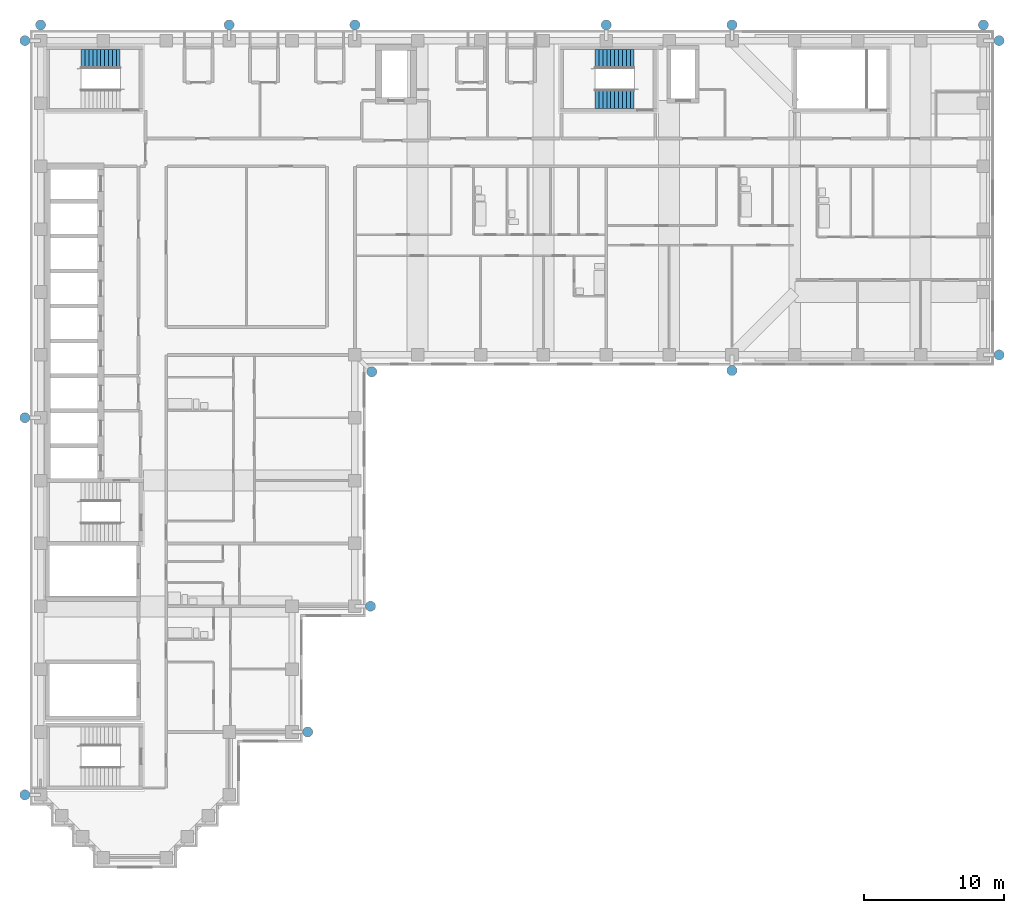
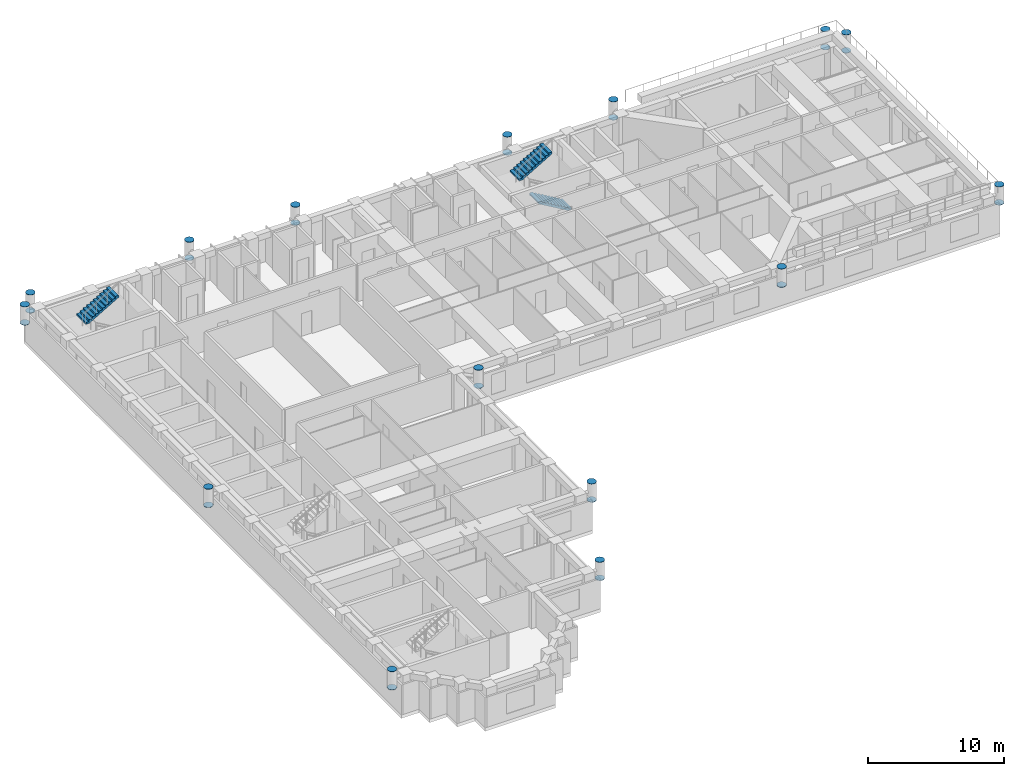
# One storey, part 12 of 14: 30 discrete accessories, 3 stair flights, 2 elements without a shape of their own.
"""IFC4 building model written with IfcOpenShell, lengths in metres."""

import ifcopenshell
import ifcopenshell.guid

model = None  # the IFC model being written
_history = None  # IfcOwnerHistory: only IFC2X3 demands one
_inside = {}  # id of a spatial element -> (the spatial element, [elements in it])
_under = {}  # id of a project, library or spatial element -> (it, [spatial elements below it])
_declared = {}  # id of a project -> (the project, [libraries it declares])
_typed = {}  # id of a type object -> (the type object, [elements of that type])
_made_of = {}  # id of a material, layer set ... -> (it, [elements and type objects made of it])


def new_model(schema):
    """Start an empty IFC model of exactly this schema.

    Asked for "IFC4X3", IfcOpenShell would pick the latest addendum, in which some entities
    have other attributes; the version numbers below select the first issue.
    IFC2X3 requires an IfcOwnerHistory on every rooted entity: one is made here for all.
    """
    global model, _history
    if schema == "IFC4X3":
        model = ifcopenshell.file(schema_version=(4, 3, 0, 0))
    else:
        model = ifcopenshell.file(schema=schema)
    _inside.clear()
    _under.clear()
    _declared.clear()
    _typed.clear()
    _made_of.clear()
    _history = None
    if model.schema == "IFC2X3":
        org = make("IfcOrganization", Name="unknown")
        user = make(
            "IfcPersonAndOrganization",
            ThePerson=make("IfcPerson", FamilyName="unknown"),
            TheOrganization=org,
        )
        app = make(
            "IfcApplication",
            ApplicationDeveloper=org,
            Version="unknown",
            ApplicationFullName="unknown",
            ApplicationIdentifier="unknown",
        )
        _history = make(
            "IfcOwnerHistory",
            OwningUser=user,
            OwningApplication=app,
            ChangeAction="ADDED",
            CreationDate=0,
        )
    return model


def make(cls, **values):
    """One entity of the class cls with the attributes given. An attribute that is None is left unset."""
    return model.create_entity(
        cls, **{name: value for name, value in values.items() if value is not None}
    )


def rooted(cls, **values):
    """An entity with a GlobalId (a new one), such as an element, a storey or a relation."""
    return make(cls, GlobalId=ifcopenshell.guid.new(), OwnerHistory=_history, **values)


def si_unit(unit_type, name, prefix=None):
    """IfcSIUnit, for example si_unit("LENGTHUNIT", "METRE", prefix="MILLI")."""
    return make("IfcSIUnit", UnitType=unit_type, Prefix=prefix, Name=name)


def assignment(units):
    """IfcUnitAssignment: the units of a project."""
    return None if units is None else make("IfcUnitAssignment", Units=units)


def point(xyz):
    """IfcCartesianPoint."""
    return None if xyz is None else make("IfcCartesianPoint", Coordinates=xyz)


def direction(xyz):
    """IfcDirection."""
    return None if xyz is None else make("IfcDirection", DirectionRatios=xyz)


def frame(location, z_axis=None, x_axis=None):
    """IfcAxis2Placement3D, a coordinate frame: its origin and axes. An axis left out is left unset."""
    return make(
        "IfcAxis2Placement3D",
        Location=point(location),
        Axis=direction(z_axis),
        RefDirection=direction(x_axis),
    )


def frame_2d(location, x_axis=None):
    """IfcAxis2Placement2D, a coordinate frame in the plane: its origin and x axis."""
    return make(
        "IfcAxis2Placement2D", Location=point(location), RefDirection=direction(x_axis)
    )


def origin():
    """The frame at (0, 0, 0) with its axes left unset."""
    return frame((0.0, 0.0, 0.0))


def origin_2d():
    """The frame at (0, 0) in the plane with its x axis left unset."""
    return frame_2d((0.0, 0.0))


def place(relative_to, where):
    """IfcLocalPlacement: puts the frame where relative to a parent placement (None: the world)."""
    return make(
        "IfcLocalPlacement", PlacementRelTo=relative_to, RelativePlacement=where
    )


def context(
    kind, dimensions, precision=None, world=None, true_north=None, identifier=None
):
    """IfcGeometricRepresentationContext, for example the 3D "Model" context."""
    return make(
        "IfcGeometricRepresentationContext",
        ContextIdentifier=identifier,
        ContextType=kind,
        CoordinateSpaceDimension=dimensions,
        Precision=precision,
        WorldCoordinateSystem=world,
        TrueNorth=true_north,
    )


def subcontext(parent, identifier, kind, view, scale=None):
    """IfcGeometricRepresentationSubContext, for example "Body" below "Model"."""
    return make(
        "IfcGeometricRepresentationSubContext",
        ContextIdentifier=identifier,
        ContextType=kind,
        ParentContext=parent,
        TargetScale=scale,
        TargetView=view,
    )


def project(units=None, contexts=None):
    """IfcProject with its units and contexts."""
    return rooted(
        "IfcProject",
        Name="project",
        RepresentationContexts=contexts,
        UnitsInContext=assignment(units),
    )


def spatial(cls, under=None, at=None, **own):
    """A site, building, storey or space (cls), placed at a placement, below another one or the project."""
    s = rooted(cls, ObjectPlacement=at, **own)
    if under is not None:
        _under.setdefault(under.id(), (under, []))[1].append(s)
    return s


def polyline(points):
    """IfcPolyline through the points."""
    return make("IfcPolyline", Points=[point(p) for p in points])


def profile(cls, at=None, kind="AREA", **sizes):
    """A parametric profile (cls). Its sizes go by their IFC names, for example OverallWidth=200.0."""
    return make(cls, ProfileType=kind, Position=at, **sizes)


def circle(**sizes):
    """IfcCircleProfileDef."""
    return profile("IfcCircleProfileDef", **sizes)


def outline(outer, holes=None, kind="AREA"):
    """IfcArbitraryClosedProfileDef: a profile drawn as a closed curve; with holes, ...WithVoids."""
    if holes is None:
        return make("IfcArbitraryClosedProfileDef", ProfileType=kind, OuterCurve=outer)
    return make(
        "IfcArbitraryProfileDefWithVoids",
        ProfileType=kind,
        OuterCurve=outer,
        InnerCurves=holes,
    )


def extrude(swept, where, along, depth):
    """IfcExtrudedAreaSolid: the profile swept, set in the frame where, extruded along a direction by depth."""
    return make(
        "IfcExtrudedAreaSolid",
        SweptArea=swept,
        Position=where,
        ExtrudedDirection=direction(along),
        Depth=depth,
    )


def shape(context_of_items, identifier, shape_type, items):
    """IfcShapeRepresentation: the items that make up one representation, for example the "Body"."""
    return make(
        "IfcShapeRepresentation",
        ContextOfItems=context_of_items,
        RepresentationIdentifier=identifier,
        RepresentationType=shape_type,
        Items=items,
    )


def material(Name=None, Category=None):
    """IfcMaterial."""
    return make("IfcMaterial", Name=Name, Category=Category)


def material_profile(
    of_material, cross_section, Name=None, Category=None, Priority=None
):
    """IfcMaterialProfile: a cross section and its material."""
    return make(
        "IfcMaterialProfile",
        Name=Name,
        Material=of_material,
        Profile=cross_section,
        Priority=Priority,
        Category=Category,
    )


def profile_set(profiles, Name=None, composite=None):
    """IfcMaterialProfileSet."""
    return make(
        "IfcMaterialProfileSet",
        Name=Name,
        MaterialProfiles=profiles,
        CompositeProfile=composite,
    )


def made_of(thing, what):
    """Note that an element or type object is made of a material, layer set ...; save() writes the relation."""
    if what is not None:
        _made_of.setdefault(what.id(), (what, []))[1].append(thing)
    return thing


def type_object(cls, material=None, **own):
    """A type object (cls), such as IfcWallType, which elements share."""
    return made_of(rooted(cls, **own), material)


def element(
    cls,
    number,
    at=None,
    inside=None,
    cuts=None,
    type_object=None,
    material=None,
    context=None,
    identifier="Body",
    shape_type=None,
    held_by="IfcProductDefinitionShape",
    body=None,
    shapes=None,
    **own,
):
    """One element of the class cls, such as IfcWall. Its Tag is "e" and its number.

    at: its placement. inside: the storey or other place that contains it. cuts: it is an
    opening in that element (IfcRelVoidsElement). A single representation is given by context,
    identifier, shape_type and body (its items); several are given by shapes. held_by: the class
    of the entity that holds the representations. save() writes the other relations.
    """
    e = rooted(cls, Tag="e%d" % number, ObjectPlacement=at, **own)
    if body is not None:
        shapes = [shape(context, identifier, shape_type, body)]
    if shapes is not None:
        e.Representation = make(held_by, Representations=shapes)
    if inside is not None:
        _inside.setdefault(inside.id(), (inside, []))[1].append(e)
    if cuts is not None:
        rooted(
            "IfcRelVoidsElement", RelatingBuildingElement=cuts, RelatedOpeningElement=e
        )
    if type_object is not None:
        _typed.setdefault(type_object.id(), (type_object, []))[1].append(e)
    return made_of(e, material)


def aggregate(whole, parts):
    """IfcRelAggregates: a whole, such as a stair, and the parts it consists of."""
    return rooted("IfcRelAggregates", RelatingObject=whole, RelatedObjects=parts)


def save(model, path):
    """Write the relations noted so far, then the file.

    IfcRelAggregates (storeys below a building ...), IfcRelContainedInSpatialStructure (elements
    in a storey), IfcRelDefinesByType, IfcRelAssociatesMaterial and IfcRelDeclares: one each for
    every whole, place, type object, material and project.
    """
    for whole, parts in _under.values():
        aggregate(whole, parts)
    for where, things in _inside.values():
        rooted(
            "IfcRelContainedInSpatialStructure",
            RelatedElements=things,
            RelatingStructure=where,
        )
    for kind, things in _typed.values():
        rooted("IfcRelDefinesByType", RelatedObjects=things, RelatingType=kind)
    for what, things in _made_of.values():
        rooted("IfcRelAssociatesMaterial", RelatedObjects=things, RelatingMaterial=what)
    for by, libraries in _declared.values():
        rooted("IfcRelDeclares", RelatingContext=by, RelatedDefinitions=libraries)
    model.write(path)


model = new_model("IFC4")

# Units and contexts
model_context = context("Model", 3, precision=1e-05, world=origin(), true_north=direction((0.0, 1.0)))
body_context = subcontext(model_context, "Body", "Model", "MODEL_VIEW")
ifc_project = project(units=[si_unit("LENGTHUNIT", "METRE"), si_unit("AREAUNIT", "SQUARE_METRE"), si_unit("VOLUMEUNIT", "CUBIC_METRE"), si_unit("PLANEANGLEUNIT", "RADIAN"), si_unit("MASSUNIT", "GRAM", prefix="KILO")], contexts=[model_context])

# Site, building, storey
site_placement = place(None, origin())
site = spatial("IfcSite", under=ifc_project, at=site_placement, CompositionType="ELEMENT")
building_placement = place(site_placement, origin())
building = spatial("IfcBuilding", under=site, at=building_placement, Name="Firuza Court", CompositionType="ELEMENT")
storey_placement = place(building_placement, frame((0.0, 0.0, 182.60009765625)))
storey = spatial("IfcBuildingStorey", under=building, at=storey_placement, Name="L46", CompositionType="ELEMENT", Elevation=182.60009765625)

# Stair, stair flights
ifc_material_1 = material(Name="Concrete C40/50 precast", Category="concrete")
stair_type = type_object("IfcStairType", Name="Stair 1350 x 3600 2 flights", PredefinedType="HALF_TURN_STAIR", material=ifc_material_1)
stair_1_placement = place(storey_placement, origin())
stair_1 = element("IfcStair", 1, at=stair_1_placement, inside=storey, type_object=stair_type, Name="Stair 1 L46", PredefinedType="HALF_TURN_STAIR")
ifc_material_2 = material(Name="Concrete C40/50 precast", Category="concrete")
stair_flight_type = type_object("IfcStairFlightType", Name="Flight 1350 riser 163.6", PredefinedType="STRAIGHT", material=ifc_material_2)
stair_flight_1_placement = place(storey_placement, frame((42.5, 54.324951171875, 0.0), z_axis=(0.0, 0.0, 1.0), x_axis=(-1.0, 0.0, 0.0)))
stair_flight_1 = element("IfcStairFlight", 2, at=stair_flight_1_placement, type_object=stair_flight_type, Name="S1 flight 1", NumberOfRisers=11, NumberOfTreads=10, PredefinedType="STRAIGHT", RiserHeight=0.163636364, TreadLength=0.28, context=body_context, shape_type="SweptSolid", body=[
    extrude(outline(polyline([(0.0, 0.0), (0.0, 0.16357421875), (0.280029296875, 0.16357421875), (0.280029296875, 0.327392578125), (0.56005859375, 0.327392578125), (0.56005859375, 0.490966796875), (0.840087890625, 0.490966796875), (0.840087890625, 0.654541015625), (1.1201171875, 0.654541015625), (1.1201171875, 0.818115234375), (1.39990234375, 0.818115234375), (1.39990234375, 0.98193359375), (1.679931640625, 0.98193359375), (1.679931640625, 1.1455078125), (1.9599609375, 1.1455078125), (1.9599609375, 1.30908203125), (2.239990234375, 1.30908203125), (2.239990234375, 1.47265625), (2.52001953125, 1.47265625), (2.52001953125, 1.636474609375), (2.800048828125, 1.636474609375), (2.800048828125, 1.800048828125), (2.800048828125, 1.462646484375), (0.297119140625, 0.0), (0.0, 0.0)])), frame((0.0, 0.675048828125, 0.0), z_axis=(0.0, -1.0, 0.0), x_axis=(1.0, 0.0, 0.0)), (0.0, 0.0, 1.0), 1.35009765625),
])
stair_flight_2_placement = place(storey_placement, frame((39.699951171875, 57.175048828125, 1.7998046875), z_axis=(0.0, 0.0, 1.0), x_axis=(1.0, 0.0, 0.0)))
stair_flight_2 = element("IfcStairFlight", 3, at=stair_flight_2_placement, type_object=stair_flight_type, Name="S1 flight 2", NumberOfRisers=11, NumberOfTreads=10, PredefinedType="STRAIGHT", RiserHeight=0.163636364, TreadLength=0.28, context=body_context, shape_type="SweptSolid", body=[
    extrude(outline(polyline([(0.0, 0.0), (0.0, 0.16357421875), (0.280029296875, 0.16357421875), (0.280029296875, 0.327392578125), (0.56005859375, 0.327392578125), (0.56005859375, 0.490966796875), (0.840087890625, 0.490966796875), (0.840087890625, 0.654541015625), (1.1201171875, 0.654541015625), (1.1201171875, 0.818115234375), (1.39990234375, 0.818115234375), (1.39990234375, 0.98193359375), (1.679931640625, 0.98193359375), (1.679931640625, 1.1455078125), (1.9599609375, 1.1455078125), (1.9599609375, 1.30908203125), (2.239990234375, 1.30908203125), (2.239990234375, 1.47265625), (2.52001953125, 1.47265625), (2.52001953125, 1.636474609375), (2.800048828125, 1.636474609375), (2.800048828125, 1.800048828125), (2.800048828125, 1.462646484375), (0.297119140625, 0.0), (0.0, 0.0)])), frame((0.0, 0.675048828125, 0.0), z_axis=(0.0, -1.0, 0.0), x_axis=(1.0, 0.0, 0.0)), (0.0, 0.0, 1.0), 1.35009765625),
])
aggregate(stair_1, [stair_flight_1, stair_flight_2])

# Stair, stair flight
stair_2_placement = place(storey_placement, origin())
stair_2 = element("IfcStair", 4, at=stair_2_placement, inside=storey, type_object=stair_type, Name="Stair 3 L46", PredefinedType="HALF_TURN_STAIR")
stair_flight_3_placement = place(storey_placement, frame((2.89990234375, 57.175048828125, 1.7998046875), z_axis=(0.0, 0.0, 1.0), x_axis=(1.0, 0.0, 0.0)))
stair_flight_3 = element("IfcStairFlight", 5, at=stair_flight_3_placement, type_object=stair_flight_type, Name="S3 flight 2", NumberOfRisers=11, NumberOfTreads=10, PredefinedType="STRAIGHT", RiserHeight=0.163636364, TreadLength=0.28, context=body_context, shape_type="SweptSolid", body=[
    extrude(outline(polyline([(0.0, 0.0), (0.0, 0.16357421875), (0.280029296875, 0.16357421875), (0.280029296875, 0.327392578125), (0.56005859375, 0.327392578125), (0.56005859375, 0.490966796875), (0.840087890625, 0.490966796875), (0.840087890625, 0.654541015625), (1.1201171875, 0.654541015625), (1.1201171875, 0.818115234375), (1.39990234375, 0.818115234375), (1.39990234375, 0.98193359375), (1.679931640625, 0.98193359375), (1.679931640625, 1.1455078125), (1.9599609375, 1.1455078125), (1.9599609375, 1.30908203125), (2.239990234375, 1.30908203125), (2.239990234375, 1.47265625), (2.52001953125, 1.47265625), (2.52001953125, 1.636474609375), (2.800048828125, 1.636474609375), (2.800048828125, 1.800048828125), (2.800048828125, 1.462646484375), (0.297119140625, 0.0), (0.0, 0.0)])), frame((0.0, 0.675048828125, 0.0), z_axis=(0.0, -1.0, 0.0), x_axis=(1.0, 0.0, 0.0)), (0.0, 0.0, 1.0), 1.35009765625),
])
aggregate(stair_2, [stair_flight_3])

# Discrete accessories
ifc_material_3 = material(Name="Steel S355", Category="steel")
ifc_material_profile = material_profile(ifc_material_3, circle(Radius=0.35546875, at=origin_2d()), Name="PL D711")
ifc_profile_set = profile_set([ifc_material_profile], Name="Steel S355")
discrete_accessory_type = type_object("IfcDiscreteAccessoryType", Name="DIAGRID NODE END PLATE", PredefinedType="NOTDEFINED", material=ifc_profile_set)
for number, where, z_axis, x_axis, name in (
    (6, (-1.1201171875, 4.5, 3.7998046875), (0.0, 0.0, 1.0), (1.0, 0.0, 0.0), "Diagrid node end plate level L46"),
    (7, (-1.1201171875, 4.5, 2.169921875), (0.0, 0.0, 1.0), (1.0, 0.0, 0.0), "Diagrid node end plate level L46"),
    (8, (-1.1201171875, 31.5, 3.7998046875), (0.0, 0.0, 1.0), (1.0, 0.0, 0.0), "Diagrid node end plate level L46"),
    (9, (-1.1201171875, 31.5, 2.169921875), (0.0, 0.0, 1.0), (1.0, 0.0, 0.0), "Diagrid node end plate level L46"),
    (10, (-1.1201171875, 58.5, 3.7998046875), (0.0, 0.0, 1.0), (1.0, 0.0, 0.0), "Diagrid node end plate level L46"),
    (11, (-1.1201171875, 58.5, 2.169921875), (0.0, 0.0, 1.0), (1.0, 0.0, 0.0), "Diagrid node end plate level L46"),
    (12, (0.0, 59.6201171875, 3.7998046875), (0.0, 0.0, 1.0), (1.0, 0.0, 0.0), "Diagrid node end plate level L46"),
    (13, (0.0, 59.6201171875, 2.169921875), (0.0, 0.0, 1.0), (1.0, 0.0, 0.0), "Diagrid node end plate level L46"),
    (14, (13.5, 59.6201171875, 3.7998046875), (0.0, 0.0, 1.0), (1.0, 0.0, 0.0), "Diagrid node end plate level L46"),
    (15, (13.5, 59.6201171875, 2.169921875), (0.0, 0.0, 1.0), (1.0, 0.0, 0.0), "Diagrid node end plate level L46"),
    (16, (19.1201171875, 9.0, 3.7998046875), (0.0, 0.0, 1.0), (1.0, 0.0, 0.0), "Diagrid node end plate level L46"),
    (17, (19.1201171875, 9.0, 2.169921875), (0.0, 0.0, 1.0), (1.0, 0.0, 0.0), "Diagrid node end plate level L46"),
    (18, (22.5, 59.6201171875, 3.7998046875), (0.0, 0.0, 1.0), (1.0, 0.0, 0.0), "Diagrid node end plate level L46"),
    (19, (22.5, 59.6201171875, 2.169921875), (0.0, 0.0, 1.0), (1.0, 0.0, 0.0), "Diagrid node end plate level L46"),
    (20, (23.6201171875, 18.0, 3.7998046875), (0.0, 0.0, 1.0), (1.0, 0.0, 0.0), "Diagrid node end plate level L46"),
    (21, (23.6201171875, 18.0, 2.169921875), (0.0, 0.0, 1.0), (1.0, 0.0, 0.0), "Diagrid node end plate level L46"),
    (22, (23.7099609375, 34.7900390625, 3.7998046875), (0.0, 0.0, 1.0), (1.0, 0.0, 0.0), "Diagrid node end plate level L46"),
    (23, (23.7099609375, 34.7900390625, 2.169921875), (0.0, 0.0, 1.0), (1.0, 0.0, 0.0), "Diagrid node end plate level L46"),
    (24, (40.5, 59.6201171875, 3.7998046875), (0.0, 0.0, 1.0), (1.0, 0.0, 0.0), "Diagrid node end plate level L46"),
    (25, (40.5, 59.6201171875, 2.169921875), (0.0, 0.0, 1.0), (1.0, 0.0, 0.0), "Diagrid node end plate level L46"),
    (26, (49.5, 34.8798828125, 3.7998046875), (0.0, 0.0, 1.0), (1.0, 0.0, 0.0), "Diagrid node end plate level L46"),
    (27, (49.5, 34.8798828125, 2.169921875), (0.0, 0.0, 1.0), (1.0, 0.0, 0.0), "Diagrid node end plate level L46"),
    (28, (49.5, 59.6201171875, 3.7998046875), (0.0, 0.0, 1.0), (1.0, 0.0, 0.0), "Diagrid node end plate level L46"),
    (29, (49.5, 59.6201171875, 2.169921875), (0.0, 0.0, 1.0), (1.0, 0.0, 0.0), "Diagrid node end plate level L46"),
    (30, (67.5, 59.6201171875, 3.7998046875), (0.0, 0.0, 1.0), (1.0, 0.0, 0.0), "Diagrid node end plate level L46"),
    (31, (67.5, 59.6201171875, 2.169921875), (0.0, 0.0, 1.0), (1.0, 0.0, 0.0), "Diagrid node end plate level L46"),
    (32, (68.6201171875, 36.0, 3.7998046875), (0.0, 0.0, 1.0), (1.0, 0.0, 0.0), "Diagrid node end plate level L46"),
    (33, (68.6201171875, 36.0, 2.169921875), (0.0, 0.0, 1.0), (1.0, 0.0, 0.0), "Diagrid node end plate level L46"),
    (34, (68.6201171875, 58.5, 3.7998046875), (0.0, 0.0, 1.0), (1.0, 0.0, 0.0), "Diagrid node end plate level L46"),
    (35, (68.6201171875, 58.5, 2.169921875), (0.0, 0.0, 1.0), (1.0, 0.0, 0.0), "Diagrid node end plate level L46"),
):
    element("IfcDiscreteAccessory", number, at=place(storey_placement, frame(where, z_axis=z_axis, x_axis=x_axis)), inside=storey, type_object=discrete_accessory_type, Name=name, PredefinedType="NOTDEFINED", context=body_context, shape_type="SweptSolid", body=[
        extrude(circle(Radius=0.35546875, at=origin_2d()), origin(), (0.0, 0.0, 1.0), 0.030029296875),
    ])

save(model, "model.ifc")
